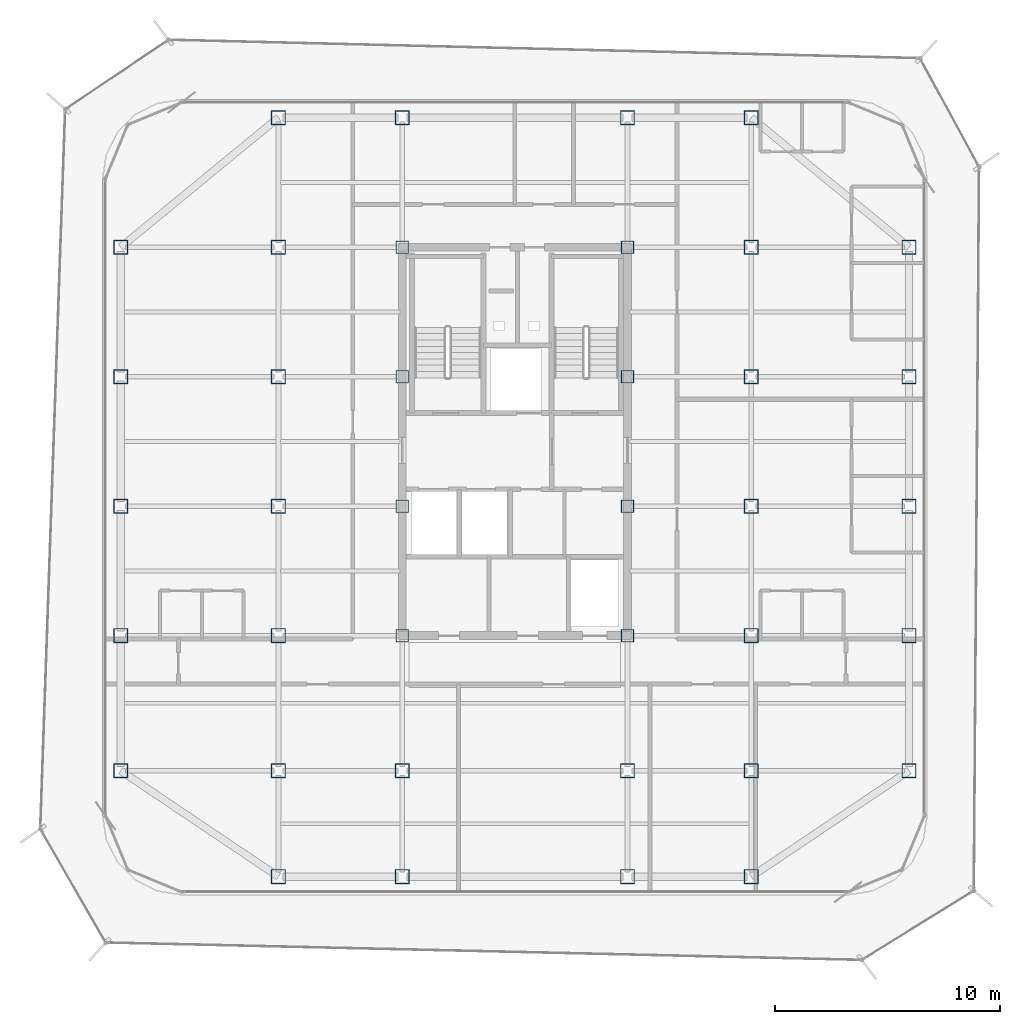
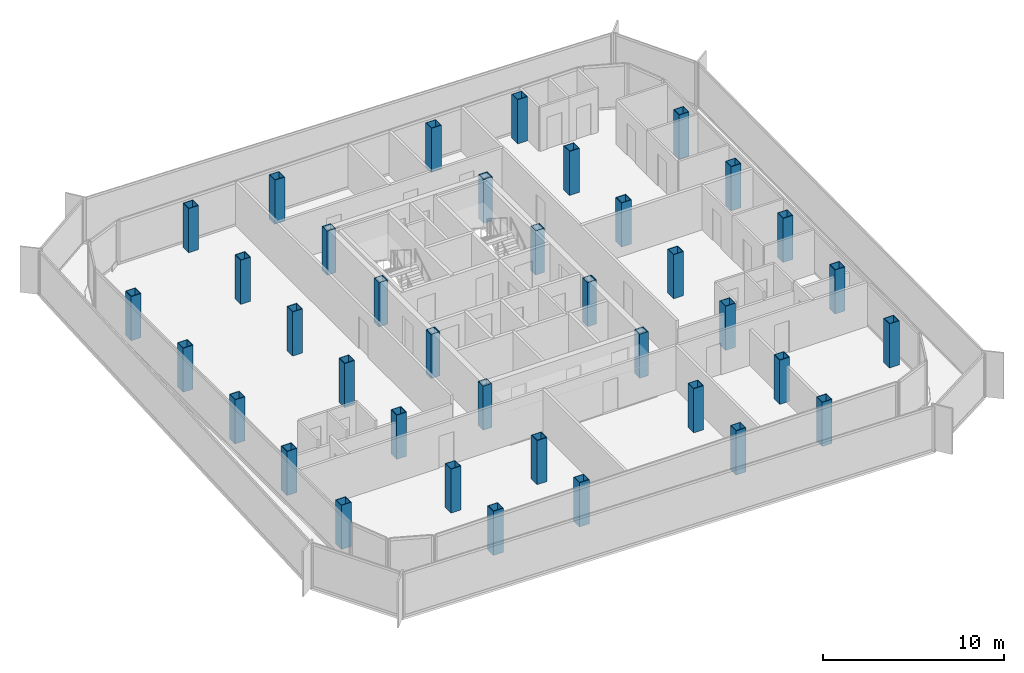
# One storey, part 1 of 15: 38 columns.
"""IFC4 building model written with IfcOpenShell, lengths in metres."""

from ifc_helpers import new_model, si_unit, direction, frame, origin, origin_2d, place, context, subcontext, project, spatial, hollow_rectangle, extrude, source, transform, mapped, material, material_profile, profile_set, type_object, element, save


model = new_model("IFC4")

# Units and contexts
model_context = context("Model", 3, precision=1e-05, world=origin(), true_north=direction((0.0, 1.0)))
body_context = subcontext(model_context, "Body", "Model", "MODEL_VIEW")
ifc_project = project(units=[si_unit("LENGTHUNIT", "METRE"), si_unit("AREAUNIT", "SQUARE_METRE"), si_unit("VOLUMEUNIT", "CUBIC_METRE"), si_unit("PLANEANGLEUNIT", "RADIAN"), si_unit("MASSUNIT", "GRAM", prefix="KILO")], contexts=[model_context])

# Site, building, storey
site_placement = place(None, origin())
site = spatial("IfcSite", under=ifc_project, at=site_placement, CompositionType="ELEMENT")
building_placement = place(site_placement, origin())
building = spatial("IfcBuilding", under=site, at=building_placement, Name="Kolveth Station Tower", CompositionType="ELEMENT")
storey_placement = place(building_placement, frame((0.0, 0.0, 264.89990234375)))
storey = spatial("IfcBuildingStorey", under=building, at=storey_placement, Name="L76", CompositionType="ELEMENT", Elevation=264.89990234375)

# Columns
ifc_material = material(Name="Steel S355", Category="steel")
ifc_material_profile_1 = material_profile(ifc_material, hollow_rectangle(XDim=0.639892578125, YDim=0.639892578125, WallThickness=0.034912109375, at=origin_2d()), Name="BOX640x640x35")
ifc_profile_set_1 = profile_set([ifc_material_profile_1], Name="Steel S355")
column_type_1 = type_object("IfcColumnType", Name="Col_C7", PredefinedType="COLUMN", material=ifc_profile_set_1)
shared_shape_1 = source(origin(), body_context, "Body", "SweptSolid", [
    extrude(hollow_rectangle(XDim=0.639892578125, YDim=0.639892578125, WallThickness=0.034912109375, at=origin_2d()), origin(), (0.0, 0.0, 1.0), 2.97998046875),
])
for number, where, z_axis, x_axis, name in (
    (1, (13.0, 0.800048828125, 0.0), (0.0, 0.0, 1.0), (1.0, 0.0, 0.0), "L76 Tower Column S-X130"),
    (2, (13.0, 34.5, 0.0), (0.0, 0.0, 1.0), (1.0, 0.0, 0.0), "L76 Tower Column N-X130"),
    (3, (18.5, 0.800048828125, 0.0), (0.0, 0.0, 1.0), (1.0, 0.0, 0.0), "L76 Tower Column S-X185"),
    (4, (18.5, 34.5, 0.0), (0.0, 0.0, 1.0), (1.0, 0.0, 0.0), "L76 Tower Column N-X185"),
    (5, (28.5, 0.800048828125, 0.0), (0.0, 0.0, 1.0), (1.0, 0.0, 0.0), "L76 Tower Column S-X285"),
    (6, (28.5, 34.5, 0.0), (0.0, 0.0, 1.0), (1.0, 0.0, 0.0), "L76 Tower Column N-X285"),
    (7, (34.0, 0.800048828125, 0.0), (0.0, 0.0, 1.0), (1.0, 0.0, 0.0), "L76 Tower Column S-X340"),
    (8, (34.0, 34.5, 0.0), (0.0, 0.0, 1.0), (1.0, 0.0, 0.0), "L76 Tower Column N-X340"),
    (9, (6.0, 5.5, 0.0), (0.0, 0.0, 1.0), (1.0, 0.0, 0.0), "L76 Tower Column W-Y55"),
    (10, (41.0, 5.5, 0.0), (0.0, 0.0, 1.0), (1.0, 0.0, 0.0), "L76 Tower Column E-Y55"),
    (11, (6.0, 11.5, 0.0), (0.0, 0.0, 1.0), (1.0, 0.0, 0.0), "L76 Tower Column W-Y115"),
    (12, (41.0, 11.5, 0.0), (0.0, 0.0, 1.0), (1.0, 0.0, 0.0), "L76 Tower Column E-Y115"),
    (13, (6.0, 17.25, 0.0), (0.0, 0.0, 1.0), (1.0, 0.0, 0.0), "L76 Tower Column W-Y172"),
    (14, (41.0, 17.25, 0.0), (0.0, 0.0, 1.0), (1.0, 0.0, 0.0), "L76 Tower Column E-Y172"),
    (15, (6.0, 23.0, 0.0), (0.0, 0.0, 1.0), (1.0, 0.0, 0.0), "L76 Tower Column W-Y230"),
    (16, (41.0, 23.0, 0.0), (0.0, 0.0, 1.0), (1.0, 0.0, 0.0), "L76 Tower Column E-Y230"),
    (17, (6.0, 28.75, 0.0), (0.0, 0.0, 1.0), (1.0, 0.0, 0.0), "L76 Tower Column W-Y287"),
    (18, (41.0, 28.75, 0.0), (0.0, 0.0, 1.0), (1.0, 0.0, 0.0), "L76 Tower Column E-Y287"),
    (19, (13.0, 5.5, 0.0), (0.0, 0.0, 1.0), (1.0, 0.0, 0.0), "L76 Tower Column G-130-55"),
    (20, (13.0, 11.5, 0.0), (0.0, 0.0, 1.0), (1.0, 0.0, 0.0), "L76 Tower Column G-130-115"),
    (21, (13.0, 17.25, 0.0), (0.0, 0.0, 1.0), (1.0, 0.0, 0.0), "L76 Tower Column G-130-172"),
    (22, (13.0, 23.0, 0.0), (0.0, 0.0, 1.0), (1.0, 0.0, 0.0), "L76 Tower Column G-130-230"),
    (23, (13.0, 28.75, 0.0), (0.0, 0.0, 1.0), (1.0, 0.0, 0.0), "L76 Tower Column G-130-287"),
    (24, (18.5, 5.5, 0.0), (0.0, 0.0, 1.0), (1.0, 0.0, 0.0), "L76 Tower Column G-185-55"),
    (25, (28.5, 5.5, 0.0), (0.0, 0.0, 1.0), (1.0, 0.0, 0.0), "L76 Tower Column G-285-55"),
    (26, (34.0, 5.5, 0.0), (0.0, 0.0, 1.0), (1.0, 0.0, 0.0), "L76 Tower Column G-340-55"),
    (27, (34.0, 11.5, 0.0), (0.0, 0.0, 1.0), (1.0, 0.0, 0.0), "L76 Tower Column G-340-115"),
    (28, (34.0, 17.25, 0.0), (0.0, 0.0, 1.0), (1.0, 0.0, 0.0), "L76 Tower Column G-340-172"),
    (29, (34.0, 23.0, 0.0), (0.0, 0.0, 1.0), (1.0, 0.0, 0.0), "L76 Tower Column G-340-230"),
    (30, (34.0, 28.75, 0.0), (0.0, 0.0, 1.0), (1.0, 0.0, 0.0), "L76 Tower Column G-340-287"),
):
    element("IfcColumn", number, at=place(storey_placement, frame(where, z_axis=z_axis, x_axis=x_axis)), inside=storey, type_object=column_type_1, Name=name, PredefinedType="COLUMN", context=body_context, shape_type="MappedRepresentation", body=[
        mapped(shared_shape_1, transform((0.0, 0.0, 0.0), x_axis=(1.0, 0.0, 0.0), y_axis=(0.0, 1.0, 0.0), z_axis=(0.0, 0.0, 1.0), scale=1.0)),
    ])
ifc_material_profile_2 = material_profile(ifc_material, hollow_rectangle(XDim=0.56005859375, YDim=0.56005859375, WallThickness=0.030029296875, at=origin_2d()), Name="BOX560x560x30")
ifc_profile_set_2 = profile_set([ifc_material_profile_2], Name="Steel S355")
column_type_2 = type_object("IfcColumnType", Name="Col_C8", PredefinedType="COLUMN", material=ifc_profile_set_2)
shared_shape_2 = source(origin(), body_context, "Body", "SweptSolid", [
    extrude(hollow_rectangle(XDim=0.56005859375, YDim=0.56005859375, WallThickness=0.030029296875, at=origin_2d()), origin(), (0.0, 0.0, 1.0), 2.97998046875),
])
for number, where, z_axis, x_axis, name in (
    (31, (18.5, 11.5, 0.0), (0.0, 0.0, 1.0), (1.0, 0.0, 0.0), "L76 Tower Column G-185-115"),
    (32, (18.5, 17.25, 0.0), (0.0, 0.0, 1.0), (1.0, 0.0, 0.0), "L76 Tower Column G-185-172"),
    (33, (18.5, 23.0, 0.0), (0.0, 0.0, 1.0), (1.0, 0.0, 0.0), "L76 Tower Column G-185-230"),
    (34, (18.5, 28.75, 0.0), (0.0, 0.0, 1.0), (1.0, 0.0, 0.0), "L76 Tower Column G-185-287"),
    (35, (28.5, 11.5, 0.0), (0.0, 0.0, 1.0), (1.0, 0.0, 0.0), "L76 Tower Column G-285-115"),
    (36, (28.5, 17.25, 0.0), (0.0, 0.0, 1.0), (1.0, 0.0, 0.0), "L76 Tower Column G-285-172"),
    (37, (28.5, 23.0, 0.0), (0.0, 0.0, 1.0), (1.0, 0.0, 0.0), "L76 Tower Column G-285-230"),
    (38, (28.5, 28.75, 0.0), (0.0, 0.0, 1.0), (1.0, 0.0, 0.0), "L76 Tower Column G-285-287"),
):
    element("IfcColumn", number, at=place(storey_placement, frame(where, z_axis=z_axis, x_axis=x_axis)), inside=storey, type_object=column_type_2, Name=name, PredefinedType="COLUMN", context=body_context, shape_type="MappedRepresentation", body=[
        mapped(shared_shape_2, transform((0.0, 0.0, 0.0), x_axis=(1.0, 0.0, 0.0), y_axis=(0.0, 1.0, 0.0), z_axis=(0.0, 0.0, 1.0), scale=1.0)),
    ])

save(model, "model.ifc")
